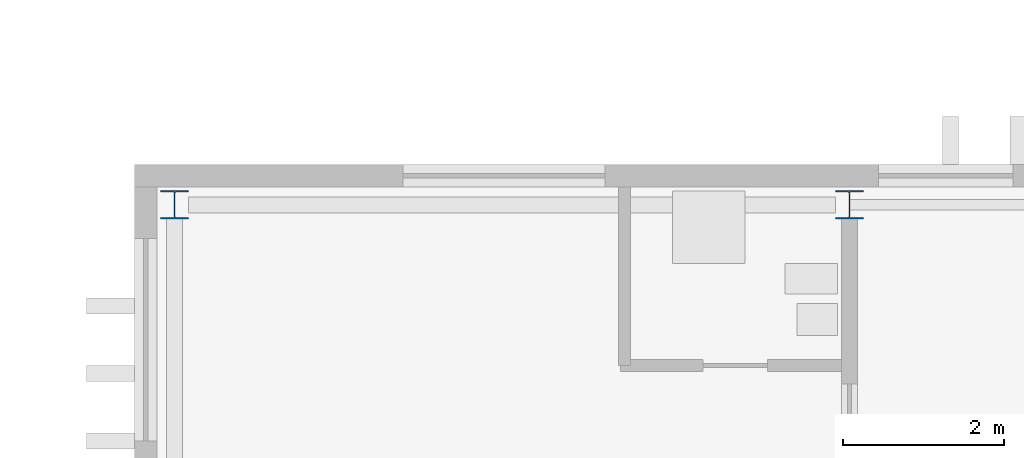
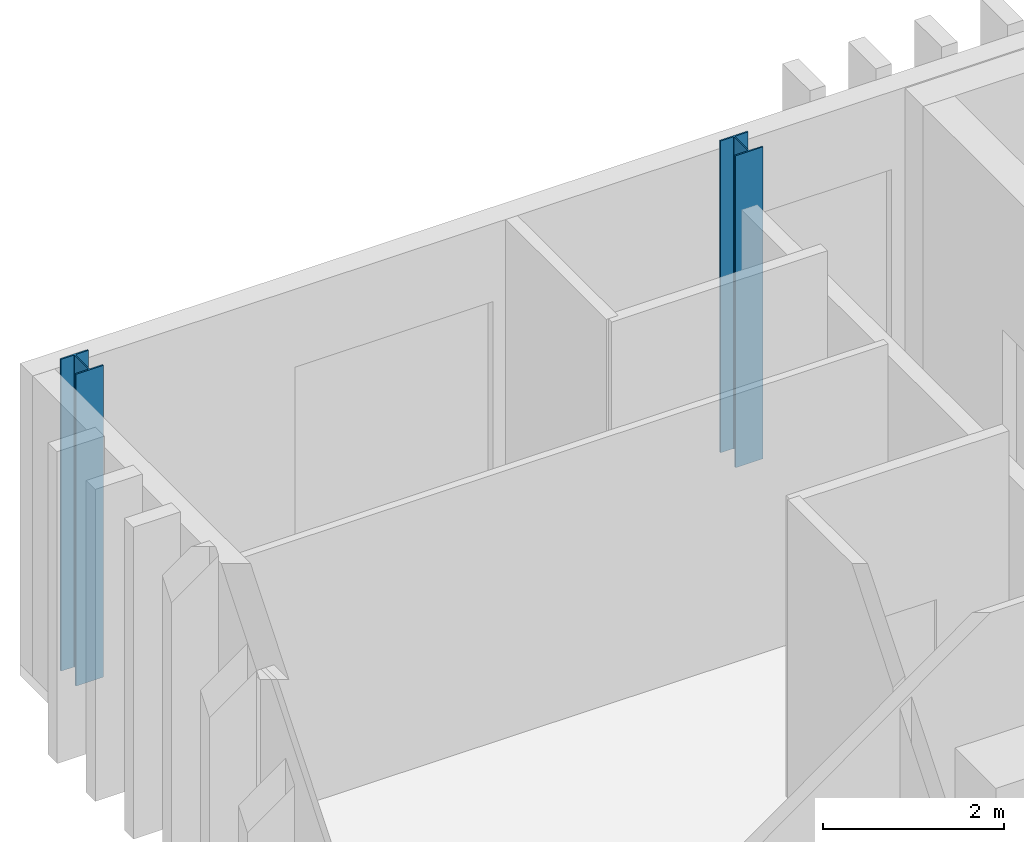
# One storey, part 3 of 11: 2 columns.
"""IFC4 building model written with IfcOpenShell, lengths in metres."""

from ifc_helpers import new_model, si_unit, direction, frame, origin, origin_2d, place, context, subcontext, project, spatial, i_section, extrude, material, material_profile, profile_set, type_object, element, save


model = new_model("IFC4")

# Units and contexts
model_context = context("Model", 3, precision=1e-05, world=origin(), true_north=direction((0.0, 1.0)))
body_context = subcontext(model_context, "Body", "Model", "MODEL_VIEW")
ifc_project = project(units=[si_unit("LENGTHUNIT", "METRE"), si_unit("AREAUNIT", "SQUARE_METRE"), si_unit("VOLUMEUNIT", "CUBIC_METRE"), si_unit("PLANEANGLEUNIT", "RADIAN"), si_unit("MASSUNIT", "GRAM", prefix="KILO")], contexts=[model_context])

# Site, building, storey
site_placement = place(None, origin())
site = spatial("IfcSite", under=ifc_project, at=site_placement, CompositionType="ELEMENT")
building_placement = place(site_placement, origin())
building = spatial("IfcBuilding", under=site, at=building_placement, Name="Cresset Court Congress Hotel", CompositionType="ELEMENT")
storey_placement = place(building_placement, frame((0.0, 0.0, 48.0)))
storey = spatial("IfcBuildingStorey", under=building, at=storey_placement, Name="L11", CompositionType="ELEMENT", Elevation=48.0)

# Columns
ifc_material = material(Name="Structural steel Q355B", Category="steel")
ifc_material_profile = material_profile(ifc_material, i_section(OverallWidth=0.35009765625, OverallDepth=0.35009765625, WebThickness=0.011962890625, FlangeThickness=0.01904296875, FilletRadius=0.012939453125, at=origin_2d()), Name="HW350x350x12x19")
ifc_profile_set = profile_set([ifc_material_profile], Name="Structural steel Q355B")
column_type = type_object("IfcColumnType", Name="Steel column HW350x350x12x19", PredefinedType="COLUMN", material=ifc_profile_set)
for number, where, z_axis, x_axis, name in (
    (1, (157.199951171875, 67.199951171875, 0.0), (0.0, 0.0, 1.0), (1.0, 0.0, 0.0), "Column L11 9-20"),
    (2, (165.60009765625, 67.199951171875, 0.0), (0.0, 0.0, 1.0), (1.0, 0.0, 0.0), "Column L11 9-21"),
):
    element("IfcColumn", number, at=place(storey_placement, frame(where, z_axis=z_axis, x_axis=x_axis)), inside=storey, type_object=column_type, Name=name, PredefinedType="COLUMN", context=body_context, shape_type="SweptSolid", body=[
        extrude(i_section(OverallWidth=0.35009765625, OverallDepth=0.35009765625, WebThickness=0.011962890625, FlangeThickness=0.01904296875, FilletRadius=0.012939453125, at=origin_2d()), origin(), (0.0, 0.0, 1.0), 4.199951171875),
    ])

save(model, "model.ifc")
